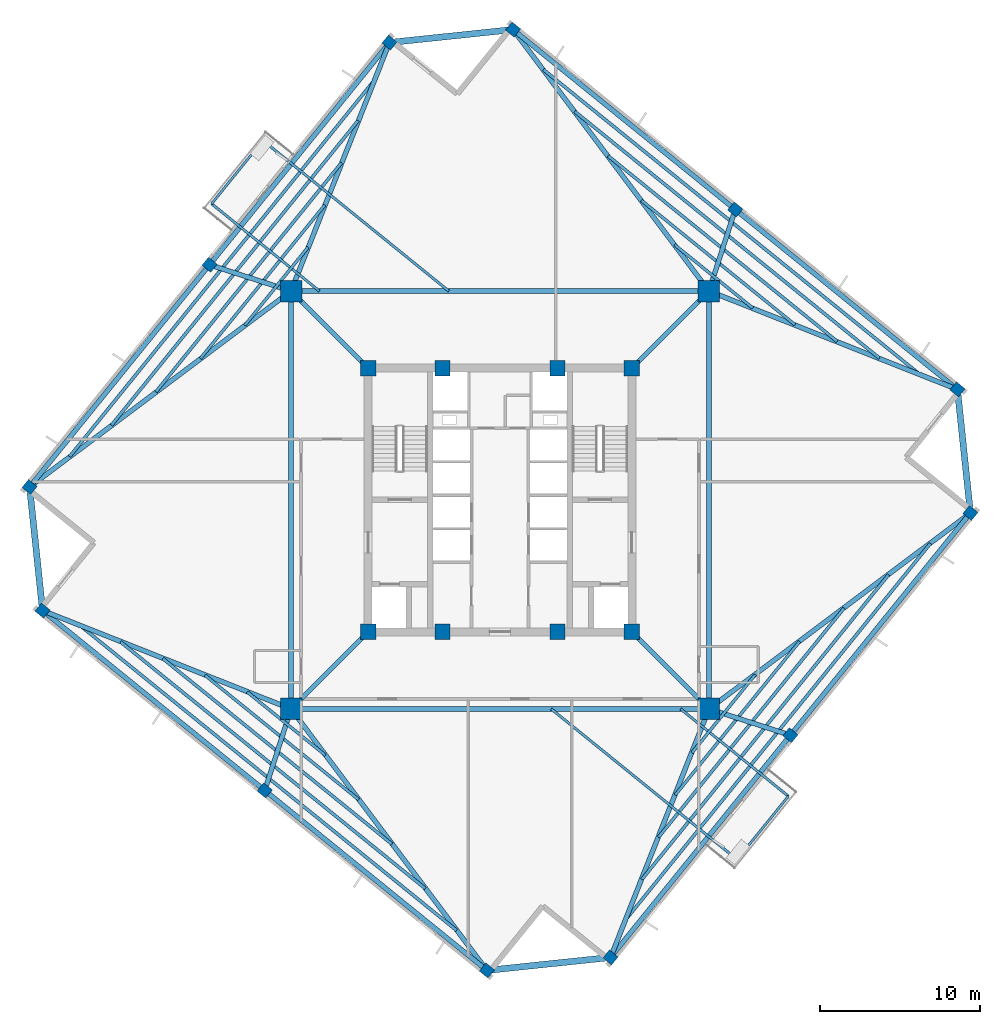
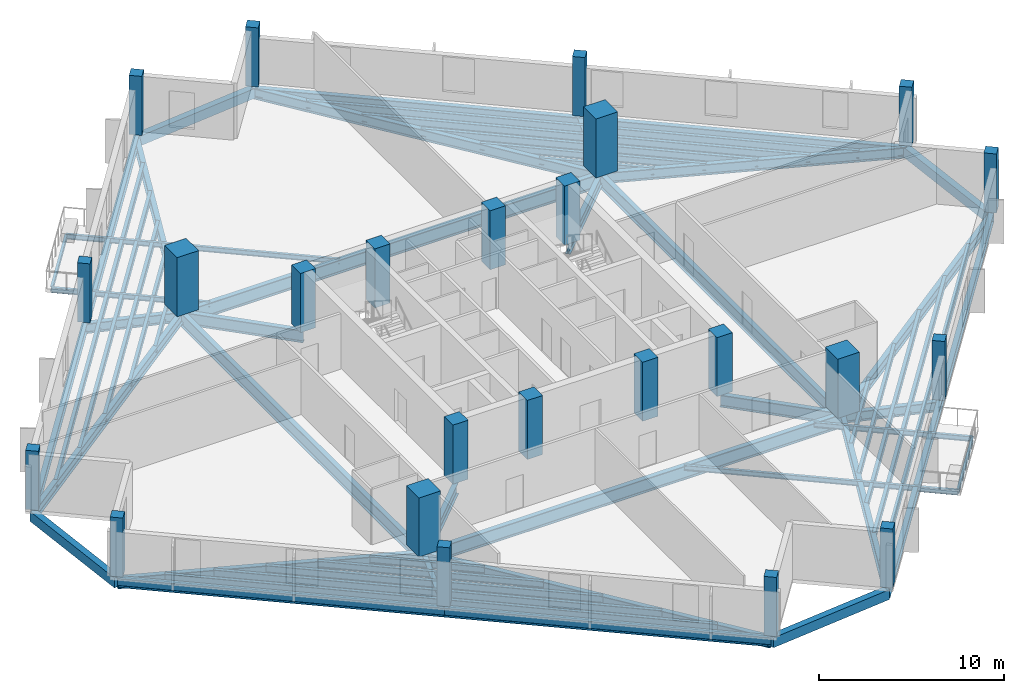
# One storey, part 1 of 9: 58 beams, 24 columns.
"""IFC4 building model written with IfcOpenShell, lengths in metres."""

from ifc_helpers import new_model, si_unit, direction, frame, origin, origin_2d, place, context, subcontext, project, spatial, rectangle, i_section, extrude, source, transform, mapped, material, material_profile, profile_set, type_object, element, save


model = new_model("IFC4")

# Units and contexts
model_context = context("Model", 3, precision=1e-05, world=origin(), true_north=direction((0.0, 1.0)))
body_context = subcontext(model_context, "Body", "Model", "MODEL_VIEW")
ifc_project = project(units=[si_unit("LENGTHUNIT", "METRE"), si_unit("AREAUNIT", "SQUARE_METRE"), si_unit("VOLUMEUNIT", "CUBIC_METRE"), si_unit("PLANEANGLEUNIT", "RADIAN"), si_unit("MASSUNIT", "GRAM", prefix="KILO"), si_unit("THERMODYNAMICTEMPERATUREUNIT", "KELVIN")], contexts=[model_context])

# Site, building, storey
site_placement = place(None, origin())
site = spatial("IfcSite", under=ifc_project, at=site_placement, CompositionType="ELEMENT")
building_placement = place(site_placement, origin())
building = spatial("IfcBuilding", under=site, at=building_placement, Name="Kosmvard Interchange Tower", CompositionType="ELEMENT")
storey_placement = place(building_placement, frame((0.0, 0.0, 225.10009765625)))
storey = spatial("IfcBuildingStorey", under=building, at=storey_placement, Name="L54", CompositionType="ELEMENT", Elevation=225.10009765625)

# Columns
ifc_material_1 = material(Name="Concrete C60/75", Category="concrete")
ifc_material_profile_1 = material_profile(ifc_material_1, rectangle(XDim=0.949951171875, YDim=0.949951171875, at=origin_2d()), Name="CP 950x950")
ifc_profile_set_1 = profile_set([ifc_material_profile_1], Name="Concrete C60/75")
column_type_1 = type_object("IfcColumnType", Name="Core Boundary Pilaster 950x950 C60/75", PredefinedType="PILASTER", material=ifc_profile_set_1)
shared_shape_1 = source(origin(), body_context, "Body", "SweptSolid", [
    extrude(rectangle(XDim=0.949951171875, YDim=0.949951171875, at=origin_2d()), origin(), (0.0, 0.0, 1.0), 3.89990234375),
])
for number, where, z_axis, x_axis, name in (
    (1, (-8.25, -8.25, 0.0), (0.0, 0.0, 1.0), (1.0, 0.0, 0.0), "L54 Core Pilaster CP1"),
    (2, (8.25, -8.25, 0.0), (0.0, 0.0, 1.0), (1.0, 0.0, 0.0), "L54 Core Pilaster CP2"),
    (3, (8.25, 8.25, 0.0), (0.0, 0.0, 1.0), (1.0, 0.0, 0.0), "L54 Core Pilaster CP3"),
    (4, (-8.25, 8.25, 0.0), (0.0, 0.0, 1.0), (1.0, 0.0, 0.0), "L54 Core Pilaster CP4"),
    (5, (-3.60009765625, -8.25, 0.0), (0.0, 0.0, 1.0), (1.0, 0.0, 0.0), "L54 Core Pilaster CP5"),
    (6, (3.60009765625, -8.25, 0.0), (0.0, 0.0, 1.0), (1.0, 0.0, 0.0), "L54 Core Pilaster CP6"),
    (7, (-3.60009765625, 8.25, 0.0), (0.0, 0.0, 1.0), (1.0, 0.0, 0.0), "L54 Core Pilaster CP7"),
    (8, (3.60009765625, 8.25, 0.0), (0.0, 0.0, 1.0), (1.0, 0.0, 0.0), "L54 Core Pilaster CP8"),
):
    element("IfcColumn", number, at=place(storey_placement, frame(where, z_axis=z_axis, x_axis=x_axis)), inside=storey, type_object=column_type_1, Name=name, PredefinedType="PILASTER", context=body_context, shape_type="MappedRepresentation", body=[
        mapped(shared_shape_1, transform((0.0, 0.0, 0.0), scale=1.0)),
    ])
ifc_material_profile_2 = material_profile(ifc_material_1, rectangle(XDim=1.35009765625, YDim=1.35009765625, at=origin_2d()), Name="MC 1350x1350")
ifc_profile_set_2 = profile_set([ifc_material_profile_2], Name="Concrete C60/75")
column_type_2 = type_object("IfcColumnType", Name="Composite Mega-Column 1350x1350 C60/75", PredefinedType="COLUMN", material=ifc_profile_set_2)
shared_shape_2 = source(origin(), body_context, "Body", "SweptSolid", [
    extrude(rectangle(XDim=1.35009765625, YDim=1.35009765625, at=origin_2d()), origin(), (0.0, 0.0, 1.0), 3.89990234375),
])
for number, where, z_axis, x_axis, name in (
    (9, (-13.0810546875, -13.0810546875, 0.0), (0.0, 0.0, 1.0), (1.0, 0.0, 0.0), "L54 Corner Mega-Column MC1"),
    (10, (13.0810546875, -13.0810546875, 0.0), (0.0, 0.0, 1.0), (1.0, 0.0, 0.0), "L54 Corner Mega-Column MC2"),
    (11, (13.0810546875, 13.0810546875, 0.0), (0.0, 0.0, 1.0), (1.0, 0.0, 0.0), "L54 Corner Mega-Column MC3"),
    (12, (-13.0810546875, 13.0810546875, 0.0), (0.0, 0.0, 1.0), (1.0, 0.0, 0.0), "L54 Corner Mega-Column MC4"),
):
    element("IfcColumn", number, at=place(storey_placement, frame(where, z_axis=z_axis, x_axis=x_axis)), inside=storey, type_object=column_type_2, Name=name, PredefinedType="COLUMN", context=body_context, shape_type="MappedRepresentation", body=[
        mapped(shared_shape_2, transform((0.0, 0.0, 0.0), scale=1.0)),
    ])
ifc_material_2 = material(Name="Concrete C50/60", Category="concrete")
ifc_material_profile_3 = material_profile(ifc_material_2, rectangle(XDim=0.64990234375, YDim=0.699951171875, at=origin_2d()), Name="TC 700x650")
ifc_profile_set_3 = profile_set([ifc_material_profile_3], Name="Concrete C50/60")
column_type_3 = type_object("IfcColumnType", Name="Zone 4 Perimeter Pier Column 700x650 C50/60", PredefinedType="COLUMN", material=ifc_profile_set_3)
shared_shape_3 = source(origin(), body_context, "Body", "SweptSolid", [
    extrude(rectangle(XDim=0.64990234375, YDim=0.699951171875, at=origin_2d()), origin(), (0.0, 0.0, 1.0), 3.89990234375),
])
for number, where, z_axis, x_axis, name in (
    (13, (6.92041015625, -28.636962890625, 0.0), (0.0, 0.0, 1.0), (0.62932039105, 0.777145961457, 0.0), "L54 Perimeter Pier Column TC-S1"),
    (14, (18.185302734375, -14.72607421875, 0.0), (0.0, 0.0, 1.0), (0.62932039105, 0.777145961457, 0.0), "L54 Perimeter Pier Column TC-S2"),
    (15, (29.449951171875, -0.815185546875, 0.0), (0.0, 0.0, 1.0), (0.62932039105, 0.777145961457, 0.0), "L54 Perimeter Pier Column TC-S3"),
    (16, (28.636962890625, 6.92041015625, 0.0), (0.0, 0.0, 1.0), (0.62932039105, 0.777145961457, 0.0), "L54 Perimeter Pier Column TC-E1"),
    (17, (14.72607421875, 18.185302734375, 0.0), (0.0, 0.0, 1.0), (0.62932039105, 0.777145961457, 0.0), "L54 Perimeter Pier Column TC-E2"),
    (18, (0.815185546875, 29.449951171875, 0.0), (0.0, 0.0, 1.0), (0.62932039105, 0.777145961457, 0.0), "L54 Perimeter Pier Column TC-E3"),
    (19, (-6.92041015625, 28.636962890625, 0.0), (0.0, 0.0, 1.0), (0.62932039105, 0.777145961457, 0.0), "L54 Perimeter Pier Column TC-N1"),
    (20, (-18.185302734375, 14.72607421875, 0.0), (0.0, 0.0, 1.0), (0.62932039105, 0.777145961457, 0.0), "L54 Perimeter Pier Column TC-N2"),
    (21, (-29.449951171875, 0.815185546875, 0.0), (0.0, 0.0, 1.0), (0.62932039105, 0.777145961457, 0.0), "L54 Perimeter Pier Column TC-N3"),
    (22, (-28.636962890625, -6.92041015625, 0.0), (0.0, 0.0, 1.0), (0.62932039105, 0.777145961457, 0.0), "L54 Perimeter Pier Column TC-W1"),
    (23, (-14.72607421875, -18.185302734375, 0.0), (0.0, 0.0, 1.0), (0.62932039105, 0.777145961457, 0.0), "L54 Perimeter Pier Column TC-W2"),
    (24, (-0.815185546875, -29.449951171875, 0.0), (0.0, 0.0, 1.0), (0.62932039105, 0.777145961457, 0.0), "L54 Perimeter Pier Column TC-W3"),
):
    element("IfcColumn", number, at=place(storey_placement, frame(where, z_axis=z_axis, x_axis=x_axis)), inside=storey, type_object=column_type_3, Name=name, PredefinedType="COLUMN", context=body_context, shape_type="MappedRepresentation", body=[
        mapped(shared_shape_3, transform((0.0, 0.0, 0.0), scale=1.0)),
    ])

# Beams
ifc_material_3 = material(Name="Steel S355", Category="steel")
ifc_material_profile_4 = material_profile(ifc_material_3, i_section(OverallWidth=0.14990234375, OverallDepth=0.300048828125, WebThickness=0.007080078125, FlangeThickness=0.0107421875, FilletRadius=0.014892578125, at=origin_2d()), Name="IPE 300")
ifc_profile_set_4 = profile_set([ifc_material_profile_4], Name="Steel S355")
beam_type_1 = type_object("IfcBeamType", Name="Balcony Edge Header Joist IPE 300 S355", PredefinedType="JOIST", material=ifc_profile_set_4)
shared_shape_4 = source(origin(), body_context, "Body", "SweptSolid", [
    extrude(i_section(OverallWidth=0.14990234375, OverallDepth=0.300048828125, WebThickness=0.007080078125, FlangeThickness=0.0107421875, FilletRadius=0.014892578125, at=origin_2d()), origin(), (0.0, 0.0, 1.0), 5.099853515625),
])
for number, where, z_axis, x_axis, name in (
    (25, (-14.84375, 22.50732421875, -0.39013671875), (-0.629319408179, -0.777146757369, 0.0), (0.777146757369, -0.629319408179, 0.0), "BM-L54-BJH1"),
    (26, (14.84375, -22.50732421875, -0.39013671875), (0.629319408179, 0.777146757369, 0.0), (-0.777146757369, 0.629319408179, 0.0), "BM-L54-BJH2"),
):
    element("IfcBeam", number, at=place(storey_placement, frame(where, z_axis=z_axis, x_axis=x_axis)), inside=storey, type_object=beam_type_1, Name=name, PredefinedType="JOIST", context=body_context, shape_type="MappedRepresentation", body=[
        mapped(shared_shape_4, transform((0.0, 0.0, 0.0), scale=1.0)),
    ])
ifc_material_profile_5 = material_profile(ifc_material_3, i_section(OverallWidth=0.300048828125, OverallDepth=0.800048828125, WebThickness=0.017578125, FlangeThickness=0.032958984375, FilletRadius=0.027099609375, at=origin_2d()), Name="HEB 800")
ifc_profile_set_5 = profile_set([ifc_material_profile_5], Name="Steel S355")
beam_type_2 = type_object("IfcBeamType", Name="Primary Mega-Frame Girder HEB 800 S355", PredefinedType="BEAM", material=ifc_profile_set_5)
shared_shape_5 = source(origin(), body_context, "Body", "SweptSolid", [
    extrude(i_section(OverallWidth=0.300048828125, OverallDepth=0.800048828125, WebThickness=0.017578125, FlangeThickness=0.032958984375, FilletRadius=0.027099609375, at=origin_2d()), origin(), (0.0, 0.0, 1.0), 6.83203125),
])
for number, where, z_axis, x_axis, name in (
    (27, (-8.25, -8.25, -0.64013671875), (-0.707106781187, -0.707106781187, 0.0), (0.707106781187, -0.707106781187, 0.0), "L54 Radial Mega-Frame Girder 1"),
    (28, (8.25, -8.25, -0.64013671875), (0.707106781187, -0.707106781187, 0.0), (0.707106781187, 0.707106781187, 0.0), "L54 Radial Mega-Frame Girder 2"),
    (29, (8.25, 8.25, -0.64013671875), (0.707106781187, 0.707106781187, 0.0), (-0.707106781187, 0.707106781187, 0.0), "L54 Radial Mega-Frame Girder 3"),
    (30, (-8.25, 8.25, -0.64013671875), (-0.707106781187, 0.707106781187, 0.0), (-0.707106781187, -0.707106781187, 0.0), "L54 Radial Mega-Frame Girder 4"),
):
    element("IfcBeam", number, at=place(storey_placement, frame(where, z_axis=z_axis, x_axis=x_axis)), inside=storey, type_object=beam_type_2, Name=name, PredefinedType="BEAM", context=body_context, shape_type="MappedRepresentation", body=[
        mapped(shared_shape_5, transform((0.0, 0.0, 0.0), scale=1.0)),
    ])
ifc_material_profile_6 = material_profile(ifc_material_3, i_section(OverallWidth=0.300048828125, OverallDepth=0.89990234375, WebThickness=0.0185546875, FlangeThickness=0.034912109375, FilletRadius=0.030029296875, at=origin_2d()), Name="HEB 900")
ifc_profile_set_6 = profile_set([ifc_material_profile_6], Name="Steel S355")
beam_type_3 = type_object("IfcBeamType", Name="Mega-Column Ring Girder HEB 900 S355", PredefinedType="BEAM", material=ifc_profile_set_6)
shared_shape_6 = source(origin(), body_context, "Body", "SweptSolid", [
    extrude(i_section(OverallWidth=0.300048828125, OverallDepth=0.89990234375, WebThickness=0.0185546875, FlangeThickness=0.034912109375, FilletRadius=0.030029296875, at=origin_2d()), origin(), (0.0, 0.0, 1.0), 26.162109375),
])
for number, where, z_axis, x_axis, name in (
    (31, (-13.0810546875, -13.0810546875, -0.690185546875), (1.0, 0.0, 0.0), (0.0, 1.0, 0.0), "L54 Mega-Column Ring Girder 1"),
    (32, (13.0810546875, -13.0810546875, -0.690185546875), (0.0, 1.0, 0.0), (-1.0, 0.0, 0.0), "L54 Mega-Column Ring Girder 2"),
    (33, (13.0810546875, 13.0810546875, -0.690185546875), (-1.0, 0.0, 0.0), (0.0, -1.0, 0.0), "L54 Mega-Column Ring Girder 3"),
    (34, (-13.0810546875, 13.0810546875, -0.690185546875), (0.0, -1.0, 0.0), (1.0, 0.0, 0.0), "L54 Mega-Column Ring Girder 4"),
):
    element("IfcBeam", number, at=place(storey_placement, frame(where, z_axis=z_axis, x_axis=x_axis)), inside=storey, type_object=beam_type_3, Name=name, PredefinedType="BEAM", context=body_context, shape_type="MappedRepresentation", body=[
        mapped(shared_shape_6, transform((0.0, 0.0, 0.0), scale=1.0)),
    ])
ifc_material_profile_7 = material_profile(ifc_material_3, i_section(OverallWidth=0.300048828125, OverallDepth=0.60009765625, WebThickness=0.015380859375, FlangeThickness=0.030029296875, FilletRadius=0.027099609375, at=origin_2d()), Name="HEB 600")
ifc_profile_set_7 = profile_set([ifc_material_profile_7], Name="Steel S355")
beam_type_4 = type_object("IfcBeamType", Name="Perimeter Tie Girder HEB 600 S355", PredefinedType="BEAM", material=ifc_profile_set_7)
shared_shape_7 = source(origin(), body_context, "Body", "SweptSolid", [
    extrude(i_section(OverallWidth=0.300048828125, OverallDepth=0.60009765625, WebThickness=0.015380859375, FlangeThickness=0.030029296875, FilletRadius=0.027099609375, at=origin_2d()), origin(), (0.0, 0.0, 1.0), 17.89990234375),
])
for number, where, z_axis, x_axis, name in (
    (35, (6.92041015625, -28.636962890625, -0.5400390625), (0.629322990554, 0.777143856413, 0.0), (-0.777143856413, 0.629322990554, 0.0), "BM-L54-PR01"),
    (36, (18.185302734375, -14.72607421875, -0.5400390625), (0.629314753061, 0.777150526976, 0.0), (-0.777150526976, 0.629314753061, 0.0), "BM-L54-PR02"),
    (37, (28.636962890625, 6.92041015625, -0.5400390625), (-0.777143856413, 0.629322990554, 0.0), (-0.629322990554, -0.777143856413, 0.0), "BM-L54-PR04"),
    (38, (14.72607421875, 18.185302734375, -0.5400390625), (-0.777150526976, 0.629314753061, 0.0), (-0.629314753061, -0.777150526976, 0.0), "BM-L54-PR05"),
    (39, (-6.92041015625, 28.636962890625, -0.5400390625), (-0.629322990554, -0.777143856413, 0.0), (0.777143856413, -0.629322990554, 0.0), "BM-L54-PR07"),
    (40, (-18.185302734375, 14.72607421875, -0.5400390625), (-0.629314753061, -0.777150526976, 0.0), (0.777150526976, -0.629314753061, 0.0), "BM-L54-PR08"),
    (41, (-28.636962890625, -6.92041015625, -0.5400390625), (0.777143856413, -0.629322990554, 0.0), (0.629322990554, 0.777143856413, 0.0), "BM-L54-PR10"),
    (42, (-14.72607421875, -18.185302734375, -0.5400390625), (0.777150526976, -0.629314753061, 0.0), (0.629314753061, 0.777150526976, 0.0), "BM-L54-PR11"),
):
    element("IfcBeam", number, at=place(storey_placement, frame(where, z_axis=z_axis, x_axis=x_axis)), inside=storey, type_object=beam_type_4, Name=name, PredefinedType="BEAM", context=body_context, shape_type="MappedRepresentation", body=[
        mapped(shared_shape_7, transform((0.0, 0.0, 0.0), scale=1.0)),
    ])
ifc_material_profile_8 = material_profile(ifc_material_3, i_section(OverallWidth=0.300048828125, OverallDepth=0.699951171875, WebThickness=0.01708984375, FlangeThickness=0.031982421875, FilletRadius=0.027099609375, at=origin_2d()), Name="HEB 700")
ifc_profile_set_8 = profile_set([ifc_material_profile_8], Name="Steel S355")
beam_type_5 = type_object("IfcBeamType", Name="Primary Floor Girder HEB 700 S355", PredefinedType="BEAM", material=ifc_profile_set_8)
shared_shape_8 = source(origin(), body_context, "Body", "SweptSolid", [
    extrude(i_section(OverallWidth=0.300048828125, OverallDepth=0.699951171875, WebThickness=0.01708984375, FlangeThickness=0.031982421875, FilletRadius=0.027099609375, at=origin_2d()), origin(), (0.0, 0.0, 1.0), 16.7314453125),
])
for number, where, z_axis, x_axis, name in (
    (43, (13.0810546875, -13.0810546875, -0.590087890625), (-0.368208500474, -0.929743244223, 0.0), (0.929743244223, -0.368208500474, 0.0), "BM-L54-RD01"),
    (44, (13.0810546875, 13.0810546875, -0.590087890625), (0.929743244223, -0.368208500474, 0.0), (0.368208500474, 0.929743244223, 0.0), "BM-L54-RD04"),
    (45, (-13.0810546875, 13.0810546875, -0.590087890625), (0.368208500474, 0.929743244223, 0.0), (-0.929743244223, 0.368208500474, 0.0), "BM-L54-RD07"),
    (46, (-13.0810546875, -13.0810546875, -0.590087890625), (-0.929743244223, 0.368208500474, 0.0), (-0.368208500474, -0.929743244223, 0.0), "BM-L54-RD10"),
):
    element("IfcBeam", number, at=place(storey_placement, frame(where, z_axis=z_axis, x_axis=x_axis)), inside=storey, type_object=beam_type_5, Name=name, PredefinedType="BEAM", context=body_context, shape_type="MappedRepresentation", body=[
        mapped(shared_shape_8, transform((0.0, 0.0, 0.0), scale=1.0)),
    ])
ifc_material_profile_9 = material_profile(ifc_material_3, i_section(OverallWidth=0.300048828125, OverallDepth=0.64990234375, WebThickness=0.01611328125, FlangeThickness=0.031005859375, FilletRadius=0.027099609375, at=origin_2d()), Name="HEB 650")
ifc_profile_set_9 = profile_set([ifc_material_profile_9], Name="Steel S355")
beam_type_6 = type_object("IfcBeamType", Name="Primary Floor Girder HEB 650 S355", PredefinedType="BEAM", material=ifc_profile_set_9)
shared_shape_9 = source(origin(), body_context, "Body", "SweptSolid", [
    extrude(i_section(OverallWidth=0.300048828125, OverallDepth=0.64990234375, WebThickness=0.01611328125, FlangeThickness=0.031005859375, FilletRadius=0.027099609375, at=origin_2d()), origin(), (0.0, 0.0, 1.0), 5.36279296875),
])
for number, where, z_axis, x_axis, name in (
    (47, (13.0810546875, -13.0810546875, -0.565185546875), (0.951790966135, -0.306747382686, 0.0), (0.306747382686, 0.951790966135, 0.0), "BM-L54-RD02"),
    (48, (13.0810546875, 13.0810546875, -0.565185546875), (0.306747382686, 0.951790966135, 0.0), (-0.951790966135, 0.306747382686, 0.0), "BM-L54-RD05"),
    (49, (-13.0810546875, 13.0810546875, -0.565185546875), (-0.951790966135, 0.306747382686, 0.0), (-0.306747382686, -0.951790966135, 0.0), "BM-L54-RD08"),
    (50, (-13.0810546875, -13.0810546875, -0.565185546875), (-0.306747382686, -0.951790966135, 0.0), (0.951790966135, -0.306747382686, 0.0), "BM-L54-RD11"),
):
    element("IfcBeam", number, at=place(storey_placement, frame(where, z_axis=z_axis, x_axis=x_axis)), inside=storey, type_object=beam_type_6, Name=name, PredefinedType="BEAM", context=body_context, shape_type="MappedRepresentation", body=[
        mapped(shared_shape_9, transform((0.0, 0.0, 0.0), scale=1.0)),
    ])
ifc_material_4 = material(Name="Precast concrete C45/55", Category="concrete")
ifc_material_profile_10 = material_profile(ifc_material_4, rectangle(XDim=0.39990234375, YDim=0.64990234375, at=origin_2d()), Name="SL 400x650")
ifc_profile_set_10 = profile_set([ifc_material_profile_10], Name="Precast concrete C45/55")
beam_type_7 = type_object("IfcBeamType", Name="Precast Spandrel Lintel 400x650 C45/55", PredefinedType="LINTEL", material=ifc_profile_set_10)
shared_shape_10 = source(origin(), body_context, "Body", "SweptSolid", [
    extrude(rectangle(XDim=0.39990234375, YDim=0.64990234375, at=origin_2d()), origin(), (0.0, 0.0, 1.0), 7.7783203125),
])
for number, where, z_axis, x_axis, name in (
    (51, (29.449951171875, -0.815185546875, -0.565185546875), (-0.104521394525, 0.994522638298, 0.0), (-0.994522638298, -0.104521394525, 0.0), "BM-L54-SL1"),
    (52, (0.815185546875, 29.449951171875, -0.565185546875), (-0.994522638298, -0.104521394525, 0.0), (0.104521394525, -0.994522638298, 0.0), "BM-L54-SL2"),
    (53, (-29.449951171875, 0.815185546875, -0.565185546875), (0.104521394525, -0.994522638298, 0.0), (0.994522638298, 0.104521394525, 0.0), "BM-L54-SL3"),
    (54, (-0.815185546875, -29.449951171875, -0.565185546875), (0.994522638298, 0.104521394525, 0.0), (-0.104521394525, 0.994522638298, 0.0), "BM-L54-SL4"),
):
    element("IfcBeam", number, at=place(storey_placement, frame(where, z_axis=z_axis, x_axis=x_axis)), inside=storey, type_object=beam_type_7, Name=name, PredefinedType="LINTEL", context=body_context, shape_type="MappedRepresentation", body=[
        mapped(shared_shape_10, transform((0.0, 0.0, 0.0), scale=1.0)),
    ])
shared_shape_11 = source(origin(), body_context, "Body", "SweptSolid", [
    extrude(i_section(OverallWidth=0.300048828125, OverallDepth=0.699951171875, WebThickness=0.01708984375, FlangeThickness=0.031982421875, FilletRadius=0.027099609375, at=origin_2d()), origin(), (0.0, 0.0, 1.0), 20.45458984375),
])
for number, where, z_axis, x_axis, name in (
    (55, (13.0810546875, -13.0810546875, -0.590087890625), (0.800253443036, 0.599661927179, 0.0), (-0.599661927179, 0.800253443036, 0.0), "BM-L54-RD03"),
    (56, (13.0810546875, 13.0810546875, -0.590087890625), (-0.599661927179, 0.800253443036, 0.0), (-0.800253443036, -0.599661927179, 0.0), "BM-L54-RD06"),
    (57, (-13.0810546875, 13.0810546875, -0.590087890625), (-0.800253443036, -0.599661927179, 0.0), (0.599661927179, -0.800253443036, 0.0), "BM-L54-RD09"),
    (58, (-13.0810546875, -13.0810546875, -0.590087890625), (0.599661927179, -0.800253443036, 0.0), (0.800253443036, 0.599661927179, 0.0), "BM-L54-RD12"),
):
    element("IfcBeam", number, at=place(storey_placement, frame(where, z_axis=z_axis, x_axis=x_axis)), inside=storey, type_object=beam_type_5, Name=name, PredefinedType="BEAM", context=body_context, shape_type="MappedRepresentation", body=[
        mapped(shared_shape_11, transform((0.0, 0.0, 0.0), scale=1.0)),
    ])
ifc_material_profile_11 = material_profile(ifc_material_3, i_section(OverallWidth=0.18994140625, OverallDepth=0.449951171875, WebThickness=0.009521484375, FlangeThickness=0.0146484375, FilletRadius=0.02099609375, at=origin_2d()), Name="IPE 450")
ifc_profile_set_11 = profile_set([ifc_material_profile_11], Name="Steel S355")
beam_type_8 = type_object("IfcBeamType", Name="Mid-Rise Floor Joist IPE 450 S355", PredefinedType="JOIST", material=ifc_profile_set_11)
shared_shape_12 = source(origin(), body_context, "Body", "SweptSolid", [
    extrude(i_section(OverallWidth=0.18994140625, OverallDepth=0.449951171875, WebThickness=0.009521484375, FlangeThickness=0.0146484375, FilletRadius=0.02099609375, at=origin_2d()), origin(), (0.0, 0.0, 1.0), 6.283935546875),
])
for number, where, z_axis, x_axis, name in (
    (59, (12.0224609375, -15.81884765625, -0.465087890625), (0.629317809561, 0.777148051898, 0.0), (-0.777148051898, 0.629317809561, 0.0), "BM-L54-FJ01"),
    (60, (15.81884765625, 12.0224609375, -0.465087890625), (-0.777148051898, 0.629317809561, 0.0), (-0.629317809561, -0.777148051898, 0.0), "BM-L54-FJ06"),
    (61, (-12.0224609375, 15.81884765625, -0.465087890625), (-0.629317809561, -0.777148051898, 0.0), (0.777148051898, -0.629317809561, 0.0), "BM-L54-FJ11"),
    (62, (-15.81884765625, -12.0224609375, -0.465087890625), (0.777148051898, -0.629317809561, 0.0), (0.629317809561, 0.777148051898, 0.0), "BM-L54-FJ16"),
):
    element("IfcBeam", number, at=place(storey_placement, frame(where, z_axis=z_axis, x_axis=x_axis)), inside=storey, type_object=beam_type_8, Name=name, PredefinedType="JOIST", context=body_context, shape_type="MappedRepresentation", body=[
        mapped(shared_shape_12, transform((0.0, 0.0, 0.0), scale=1.0)),
    ])
shared_shape_13 = source(origin(), body_context, "Body", "SweptSolid", [
    extrude(i_section(OverallWidth=0.18994140625, OverallDepth=0.449951171875, WebThickness=0.009521484375, FlangeThickness=0.0146484375, FilletRadius=0.02099609375, at=origin_2d()), origin(), (0.0, 0.0, 1.0), 12.369873046875),
])
for number, where, z_axis, x_axis, name in (
    (63, (10.97509765625, -18.46337890625, -0.465087890625), (0.629319722443, 0.777146502883, 0.0), (-0.777146502883, 0.629319722443, 0.0), "BM-L54-FJ02"),
    (64, (18.46337890625, 10.97509765625, -0.465087890625), (-0.777146502883, 0.629319722443, 0.0), (-0.629319722443, -0.777146502883, 0.0), "BM-L54-FJ07"),
    (65, (-10.97509765625, 18.46337890625, -0.465087890625), (-0.629319722443, -0.777146502883, 0.0), (0.777146502883, -0.629319722443, 0.0), "BM-L54-FJ12"),
    (66, (-18.46337890625, -10.97509765625, -0.465087890625), (0.777146502883, -0.629319722443, 0.0), (0.629319722443, 0.777146502883, 0.0), "BM-L54-FJ17"),
):
    element("IfcBeam", number, at=place(storey_placement, frame(where, z_axis=z_axis, x_axis=x_axis)), inside=storey, type_object=beam_type_8, Name=name, PredefinedType="JOIST", context=body_context, shape_type="MappedRepresentation", body=[
        mapped(shared_shape_13, transform((0.0, 0.0, 0.0), scale=1.0)),
    ])
ifc_material_profile_12 = material_profile(ifc_material_3, i_section(OverallWidth=0.199951171875, OverallDepth=0.5, WebThickness=0.01025390625, FlangeThickness=0.01611328125, FilletRadius=0.02099609375, at=origin_2d()), Name="IPE 500")
ifc_profile_set_12 = profile_set([ifc_material_profile_12], Name="Steel S355")
beam_type_9 = type_object("IfcBeamType", Name="Standard Floor Joist IPE 500 S355", PredefinedType="JOIST", material=ifc_profile_set_12)
shared_shape_14 = source(origin(), body_context, "Body", "SweptSolid", [
    extrude(i_section(OverallWidth=0.199951171875, OverallDepth=0.5, WebThickness=0.01025390625, FlangeThickness=0.01611328125, FilletRadius=0.02099609375, at=origin_2d()), origin(), (0.0, 0.0, 1.0), 18.4560546875),
])
for number, where, z_axis, x_axis, name in (
    (67, (9.927734375, -21.10791015625, -0.489990234375), (0.629320373744, 0.777145975471, 0.0), (-0.777145975471, 0.629320373744, 0.0), "BM-L54-FJ03"),
    (68, (21.10791015625, 9.927734375, -0.489990234375), (-0.777145975471, 0.629320373744, 0.0), (-0.629320373744, -0.777145975471, 0.0), "BM-L54-FJ08"),
    (69, (-9.927734375, 21.10791015625, -0.489990234375), (-0.629320373744, -0.777145975471, 0.0), (0.777145975471, -0.629320373744, 0.0), "BM-L54-FJ13"),
    (70, (-21.10791015625, -9.927734375, -0.489990234375), (0.777145975471, -0.629320373744, 0.0), (0.629320373744, 0.777145975471, 0.0), "BM-L54-FJ18"),
):
    element("IfcBeam", number, at=place(storey_placement, frame(where, z_axis=z_axis, x_axis=x_axis)), inside=storey, type_object=beam_type_9, Name=name, PredefinedType="JOIST", context=body_context, shape_type="MappedRepresentation", body=[
        mapped(shared_shape_14, transform((0.0, 0.0, 0.0), scale=1.0)),
    ])
shared_shape_15 = source(origin(), body_context, "Body", "SweptSolid", [
    extrude(i_section(OverallWidth=0.199951171875, OverallDepth=0.5, WebThickness=0.01025390625, FlangeThickness=0.01611328125, FilletRadius=0.02099609375, at=origin_2d()), origin(), (0.0, 0.0, 1.0), 24.5419921875),
])
for number, where, z_axis, x_axis, name in (
    (71, (8.880615234375, -23.75244140625, -0.489990234375), (0.629314693907, 0.777150574878, 0.0), (-0.777150574878, 0.629314693907, 0.0), "BM-L54-FJ04"),
    (72, (23.75244140625, 8.880615234375, -0.489990234375), (-0.777150574878, 0.629314693907, 0.0), (-0.629314693907, -0.777150574878, 0.0), "BM-L54-FJ09"),
    (73, (-8.880615234375, 23.75244140625, -0.489990234375), (-0.629314693907, -0.777150574878, 0.0), (0.777150574878, -0.629314693907, 0.0), "BM-L54-FJ14"),
    (74, (-23.75244140625, -8.880615234375, -0.489990234375), (0.777150574878, -0.629314693907, 0.0), (0.629314693907, 0.777150574878, 0.0), "BM-L54-FJ19"),
):
    element("IfcBeam", number, at=place(storey_placement, frame(where, z_axis=z_axis, x_axis=x_axis)), inside=storey, type_object=beam_type_9, Name=name, PredefinedType="JOIST", context=body_context, shape_type="MappedRepresentation", body=[
        mapped(shared_shape_15, transform((0.0, 0.0, 0.0), scale=1.0)),
    ])
shared_shape_16 = source(origin(), body_context, "Body", "SweptSolid", [
    extrude(i_section(OverallWidth=0.199951171875, OverallDepth=0.5, WebThickness=0.01025390625, FlangeThickness=0.01611328125, FilletRadius=0.02099609375, at=origin_2d()), origin(), (0.0, 0.0, 1.0), 30.27001953125),
])
for number, where, z_axis, x_axis, name in (
    (75, (7.894775390625, -26.241455078125, -0.489990234375), (0.629321655027, 0.777144937907, 0.0), (-0.777144937907, 0.629321655027, 0.0), "BM-L54-FJ05"),
    (76, (26.241455078125, 7.894775390625, -0.489990234375), (-0.777144937907, 0.629321655027, 0.0), (-0.629321655027, -0.777144937907, 0.0), "BM-L54-FJ10"),
    (77, (-7.894775390625, 26.241455078125, -0.489990234375), (-0.629321655027, -0.777144937907, 0.0), (0.777144937907, -0.629321655027, 0.0), "BM-L54-FJ15"),
    (78, (-26.241455078125, -7.894775390625, -0.489990234375), (0.777144937907, -0.629321655027, 0.0), (0.629321655027, 0.777144937907, 0.0), "BM-L54-FJ20"),
):
    element("IfcBeam", number, at=place(storey_placement, frame(where, z_axis=z_axis, x_axis=x_axis)), inside=storey, type_object=beam_type_9, Name=name, PredefinedType="JOIST", context=body_context, shape_type="MappedRepresentation", body=[
        mapped(shared_shape_16, transform((0.0, 0.0, 0.0), scale=1.0)),
    ])
ifc_material_profile_13 = material_profile(ifc_material_3, i_section(OverallWidth=0.159912109375, OverallDepth=0.330078125, WebThickness=0.007568359375, FlangeThickness=0.011474609375, FilletRadius=0.01806640625, at=origin_2d()), Name="IPE 330")
ifc_profile_set_13 = profile_set([ifc_material_profile_13], Name="Steel S355")
beam_type_10 = type_object("IfcBeamType", Name="Balcony Cantilever Joist IPE 330 S355", PredefinedType="JOIST", material=ifc_profile_set_13)
shared_shape_17 = source(origin(), body_context, "Body", "SweptSolid", [
    extrude(i_section(OverallWidth=0.159912109375, OverallDepth=0.330078125, WebThickness=0.007568359375, FlangeThickness=0.011474609375, FilletRadius=0.01806640625, at=origin_2d()), origin(), (0.0, 0.0, 1.0), 14.978515625),
])
for number, where, z_axis, x_axis, name in (
    (79, (-3.203125, 13.0810546875, -0.405029296875), (-0.777149968763, 0.629315442407, 0.0), (-0.629315442407, -0.777149968763, 0.0), "BM-L54-BJ1"),
    (80, (3.203125, -13.0810546875, -0.405029296875), (0.777149968763, -0.629315442407, 0.0), (0.629315442407, 0.777149968763, 0.0), "BM-L54-BJ2"),
):
    element("IfcBeam", number, at=place(storey_placement, frame(where, z_axis=z_axis, x_axis=x_axis)), inside=storey, type_object=beam_type_10, Name=name, PredefinedType="JOIST", context=body_context, shape_type="MappedRepresentation", body=[
        mapped(shared_shape_17, transform((0.0, 0.0, 0.0), scale=1.0)),
    ])
shared_shape_18 = source(origin(), body_context, "Body", "SweptSolid", [
    extrude(i_section(OverallWidth=0.159912109375, OverallDepth=0.330078125, WebThickness=0.007568359375, FlangeThickness=0.011474609375, FilletRadius=0.01806640625, at=origin_2d()), origin(), (0.0, 0.0, 1.0), 8.6806640625),
])
for number, where, z_axis, x_axis, name in (
    (81, (-11.30712890625, 13.0810546875, -0.405029296875), (-0.777145306785, 0.629321199501, 0.0), (-0.629321199501, -0.777145306785, 0.0), "BM-L54-BJB1"),
    (82, (11.30712890625, -13.0810546875, -0.405029296875), (0.777145306785, -0.629321199501, 0.0), (0.629321199501, 0.777145306785, 0.0), "BM-L54-BJB2"),
):
    element("IfcBeam", number, at=place(storey_placement, frame(where, z_axis=z_axis, x_axis=x_axis)), inside=storey, type_object=beam_type_10, Name=name, PredefinedType="JOIST", context=body_context, shape_type="MappedRepresentation", body=[
        mapped(shared_shape_18, transform((0.0, 0.0, 0.0), scale=1.0)),
    ])

save(model, "model.ifc")
